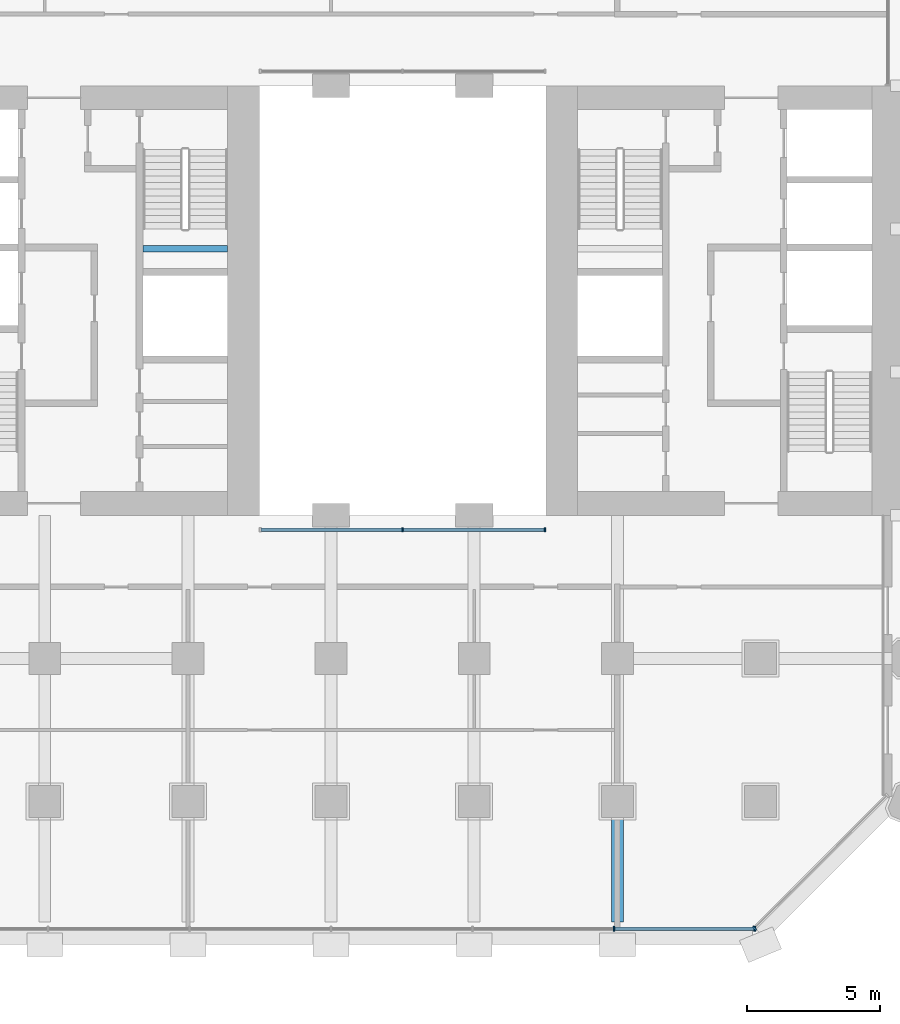
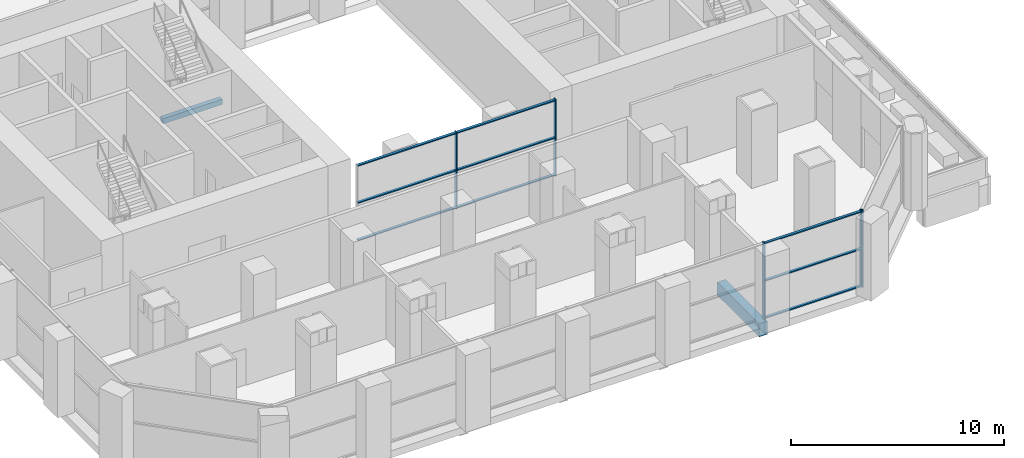
# One storey, part 5 of 42: 14 members, 2 beams, 3 elements without a shape of their own.
"""IFC4 building model written with IfcOpenShell, lengths in metres."""

from ifc_helpers import new_model, si_unit, direction, frame, origin, origin_2d, place, context, subcontext, project, spatial, rectangle, extrude, material, material_profile, profile_set, type_object, element, aggregate, save


model = new_model("IFC4")

# Units and contexts
model_context = context("Model", 3, precision=1e-05, world=origin(), true_north=direction((0.0, 1.0)))
body_context = subcontext(model_context, "Body", "Model", "MODEL_VIEW")
ifc_project = project(units=[si_unit("LENGTHUNIT", "METRE"), si_unit("AREAUNIT", "SQUARE_METRE"), si_unit("VOLUMEUNIT", "CUBIC_METRE"), si_unit("PLANEANGLEUNIT", "RADIAN"), si_unit("MASSUNIT", "GRAM", prefix="KILO")], contexts=[model_context])

# Site, building, storey
site_placement = place(None, origin())
site = spatial("IfcSite", under=ifc_project, at=site_placement, CompositionType="ELEMENT")
building_placement = place(site_placement, origin())
building = spatial("IfcBuilding", under=site, at=building_placement, Name="Tabaq Tower and Sports Hall", CompositionType="ELEMENT")
storey_placement = place(building_placement, frame((0.0, 0.0, 19.800048828125)))
storey = spatial("IfcBuildingStorey", under=building, at=storey_placement, Name="L03", CompositionType="ELEMENT", Elevation=19.800048828125)

# Curtain wall, members
ifc_material_1 = material(Name="Aluminium alloy 6063-T6 framed glazing", Category="aluminium")
curtain_wall_type_1 = type_object("IfcCurtainWallType", Name="CW1 curtain wall", PredefinedType="USERDEFINED", material=ifc_material_1)
curtain_wall_1_placement = place(storey_placement, origin())
curtain_wall_1 = element("IfcCurtainWall", 1, at=curtain_wall_1_placement, inside=storey, type_object=curtain_wall_type_1, Name="Atrium glazing L03 S", ObjectType="ATRIUM ENCLOSURE", PredefinedType="USERDEFINED")
ifc_material_2 = material(Name="Aluminium alloy 6063-T6", Category="aluminium")
ifc_material_profile_1 = material_profile(ifc_material_2, rectangle(XDim=0.159912109375, YDim=0.06005859375, at=origin_2d()), Name="MULLION 160x60")
ifc_profile_set_1 = profile_set([ifc_material_profile_1], Name="Aluminium alloy 6063-T6")
member_type_1 = type_object("IfcMemberType", Name="CW1 mullion 160x60", PredefinedType="MULLION", material=ifc_profile_set_1)
member_1_placement = place(storey_placement, frame((24.300048828125, 15.64990234375, 0.0), z_axis=(0.0, 0.0, 1.0), x_axis=(0.0, 1.0, 0.0)))
member_1 = element("IfcMember", 2, at=member_1_placement, type_object=member_type_1, Name="CW1 mullion 2", PredefinedType="MULLION", context=body_context, shape_type="SweptSolid", body=[
    extrude(rectangle(XDim=0.159912109375, YDim=0.06005859375, at=origin_2d()), origin(), (0.0, 0.0, 1.0), 4.39990234375),
])
member_2_placement = place(storey_placement, frame((29.669921875, 15.64990234375, 0.0), z_axis=(0.0, 0.0, 1.0), x_axis=(0.0, 1.0, 0.0)))
member_2 = element("IfcMember", 3, at=member_2_placement, type_object=member_type_1, Name="CW1 mullion 3", PredefinedType="MULLION", context=body_context, shape_type="SweptSolid", body=[
    extrude(rectangle(XDim=0.159912109375, YDim=0.06005859375, at=origin_2d()), origin(), (0.0, 0.0, 1.0), 4.39990234375),
])
ifc_material_3 = material(Name="Aluminium alloy 6063-T6", Category="aluminium")
ifc_material_profile_2 = material_profile(ifc_material_3, rectangle(XDim=0.139892578125, YDim=0.06005859375, at=origin_2d()), Name="TRANSOM 140x60")
ifc_profile_set_2 = profile_set([ifc_material_profile_2], Name="Aluminium alloy 6063-T6")
member_type_2 = type_object("IfcMemberType", Name="CW1 transom 140x60", PredefinedType="USERDEFINED", material=ifc_profile_set_2)
member_3_placement = place(storey_placement, frame((18.9599609375, 15.64990234375, 0.070068359375), z_axis=(1.0, 0.0, 0.0), x_axis=(0.0, 1.0, 0.0)))
member_3 = element("IfcMember", 4, at=member_3_placement, type_object=member_type_2, Name="CW1 transom 1.1", ObjectType="TRANSOM", PredefinedType="USERDEFINED", context=body_context, shape_type="SweptSolid", body=[
    extrude(rectangle(XDim=0.139892578125, YDim=0.06005859375, at=origin_2d()), origin(), (0.0, 0.0, 1.0), 5.31005859375),
])
member_4_placement = place(storey_placement, frame((18.9599609375, 15.64990234375, 2.199951171875), z_axis=(1.0, 0.0, 0.0), x_axis=(0.0, 1.0, 0.0)))
member_4 = element("IfcMember", 5, at=member_4_placement, type_object=member_type_2, Name="CW1 transom 1.2", ObjectType="TRANSOM", PredefinedType="USERDEFINED", context=body_context, shape_type="SweptSolid", body=[
    extrude(rectangle(XDim=0.139892578125, YDim=0.06005859375, at=origin_2d()), origin(), (0.0, 0.0, 1.0), 5.31005859375),
])
member_5_placement = place(storey_placement, frame((18.9599609375, 15.64990234375, 4.329833984375), z_axis=(1.0, 0.0, 0.0), x_axis=(0.0, 1.0, 0.0)))
member_5 = element("IfcMember", 6, at=member_5_placement, type_object=member_type_2, Name="CW1 transom 1.3", ObjectType="TRANSOM", PredefinedType="USERDEFINED", context=body_context, shape_type="SweptSolid", body=[
    extrude(rectangle(XDim=0.139892578125, YDim=0.06005859375, at=origin_2d()), origin(), (0.0, 0.0, 1.0), 5.31005859375),
])
member_6_placement = place(storey_placement, frame((24.330078125, 15.64990234375, 0.070068359375), z_axis=(1.0, 0.0, 0.0), x_axis=(0.0, 1.0, 0.0)))
member_6 = element("IfcMember", 7, at=member_6_placement, type_object=member_type_2, Name="CW1 transom 2.1", ObjectType="TRANSOM", PredefinedType="USERDEFINED", context=body_context, shape_type="SweptSolid", body=[
    extrude(rectangle(XDim=0.139892578125, YDim=0.06005859375, at=origin_2d()), origin(), (0.0, 0.0, 1.0), 5.309814453125),
])
member_7_placement = place(storey_placement, frame((24.330078125, 15.64990234375, 2.199951171875), z_axis=(1.0, 0.0, 0.0), x_axis=(0.0, 1.0, 0.0)))
member_7 = element("IfcMember", 8, at=member_7_placement, type_object=member_type_2, Name="CW1 transom 2.2", ObjectType="TRANSOM", PredefinedType="USERDEFINED", context=body_context, shape_type="SweptSolid", body=[
    extrude(rectangle(XDim=0.139892578125, YDim=0.06005859375, at=origin_2d()), origin(), (0.0, 0.0, 1.0), 5.309814453125),
])
member_8_placement = place(storey_placement, frame((24.330078125, 15.64990234375, 4.329833984375), z_axis=(1.0, 0.0, 0.0), x_axis=(0.0, 1.0, 0.0)))
member_8 = element("IfcMember", 9, at=member_8_placement, type_object=member_type_2, Name="CW1 transom 2.3", ObjectType="TRANSOM", PredefinedType="USERDEFINED", context=body_context, shape_type="SweptSolid", body=[
    extrude(rectangle(XDim=0.139892578125, YDim=0.06005859375, at=origin_2d()), origin(), (0.0, 0.0, 1.0), 5.309814453125),
])
aggregate(curtain_wall_1, [member_1, member_2, member_3, member_4, member_5, member_6, member_7, member_8])

ifc_material_4 = material(Name="Aluminium alloy 6063-T6 framed glazing", Category="aluminium")
curtain_wall_type_2 = type_object("IfcCurtainWallType", Name="CW7 curtain wall", PredefinedType="USERDEFINED", material=ifc_material_4)
curtain_wall_2_placement = place(storey_placement, origin())
curtain_wall_2 = element("IfcCurtainWall", 10, at=curtain_wall_2_placement, inside=storey, type_object=curtain_wall_type_2, Name="Podium Wall L03 S", ObjectType="PODIUM WALL", PredefinedType="USERDEFINED")
ifc_material_5 = material(Name="Aluminium alloy 6063-T6", Category="aluminium")
ifc_material_profile_3 = material_profile(ifc_material_5, rectangle(XDim=0.179931640625, YDim=0.06494140625, at=origin_2d()), Name="MULLION 180x65")
ifc_profile_set_3 = profile_set([ifc_material_profile_3], Name="Aluminium alloy 6063-T6")
member_type_3 = type_object("IfcMemberType", Name="CW7 mullion 180x65", PredefinedType="MULLION", material=ifc_profile_set_3)
member_9_placement = place(storey_placement, frame((32.275634765625, 0.60009765625, 0.0), z_axis=(0.0, 0.0, 1.0), x_axis=(0.0, 1.0, 0.0)))
member_9 = element("IfcMember", 11, at=member_9_placement, type_object=member_type_3, Name="CW7 mullion 6", PredefinedType="MULLION", context=body_context, shape_type="SweptSolid", body=[
    extrude(rectangle(XDim=0.179931640625, YDim=0.06494140625, at=origin_2d()), origin(), (0.0, 0.0, 1.0), 4.39990234375),
])
member_10_placement = place(storey_placement, frame((37.5810546875, 0.60009765625, 0.0), z_axis=(0.0, 0.0, 1.0), x_axis=(0.0, 1.0, 0.0)))
member_10 = element("IfcMember", 12, at=member_10_placement, type_object=member_type_3, Name="CW7 mullion 7", PredefinedType="MULLION", context=body_context, shape_type="SweptSolid", body=[
    extrude(rectangle(XDim=0.179931640625, YDim=0.06494140625, at=origin_2d()), origin(), (0.0, 0.0, 1.0), 4.39990234375),
])

# Curtain wall, member
curtain_wall_3_placement = place(storey_placement, origin())
curtain_wall_3 = element("IfcCurtainWall", 13, at=curtain_wall_3_placement, inside=storey, type_object=curtain_wall_type_2, Name="Podium Wall L03 SE", ObjectType="PODIUM WALL", PredefinedType="USERDEFINED")
member_11_placement = place(storey_placement, frame((37.574462890625, 0.623046875, 0.0), z_axis=(0.0, 0.0, 1.0), x_axis=(-0.707106781187, 0.707106781187, 0.0)))
member_11 = element("IfcMember", 14, at=member_11_placement, type_object=member_type_3, Name="CW7 mullion 1", PredefinedType="MULLION", context=body_context, shape_type="SweptSolid", body=[
    extrude(rectangle(XDim=0.179931640625, YDim=0.06494140625, at=origin_2d()), origin(), (0.0, 0.0, 1.0), 4.39990234375),
])
aggregate(curtain_wall_3, [member_11])

# Member
ifc_material_6 = material(Name="Aluminium alloy 6063-T6", Category="aluminium")
ifc_material_profile_4 = material_profile(ifc_material_6, rectangle(XDim=0.139892578125, YDim=0.06494140625, at=origin_2d()), Name="TRANSOM 140x65")
ifc_profile_set_4 = profile_set([ifc_material_profile_4], Name="Aluminium alloy 6063-T6")
member_type_4 = type_object("IfcMemberType", Name="CW7 transom 140x65", PredefinedType="USERDEFINED", material=ifc_profile_set_4)
member_12_placement = place(storey_placement, frame((32.308349609375, 0.60009765625, 0.070068359375), z_axis=(1.0, 0.0, 0.0), x_axis=(0.0, 1.0, 0.0)))
member_12 = element("IfcMember", 15, at=member_12_placement, type_object=member_type_4, Name="CW7 transom 6.1", ObjectType="TRANSOM", PredefinedType="USERDEFINED", context=body_context, shape_type="SweptSolid", body=[
    extrude(rectangle(XDim=0.139892578125, YDim=0.06494140625, at=origin_2d()), origin(), (0.0, 0.0, 1.0), 5.240234375),
])

member_13_placement = place(storey_placement, frame((32.308349609375, 0.60009765625, 2.199951171875), z_axis=(1.0, 0.0, 0.0), x_axis=(0.0, 1.0, 0.0)))
member_13 = element("IfcMember", 16, at=member_13_placement, type_object=member_type_4, Name="CW7 transom 6.2", ObjectType="TRANSOM", PredefinedType="USERDEFINED", context=body_context, shape_type="SweptSolid", body=[
    extrude(rectangle(XDim=0.139892578125, YDim=0.06494140625, at=origin_2d()), origin(), (0.0, 0.0, 1.0), 5.240234375),
])

member_14_placement = place(storey_placement, frame((32.308349609375, 0.60009765625, 4.329833984375), z_axis=(1.0, 0.0, 0.0), x_axis=(0.0, 1.0, 0.0)))
member_14 = element("IfcMember", 17, at=member_14_placement, type_object=member_type_4, Name="CW7 transom 6.3", ObjectType="TRANSOM", PredefinedType="USERDEFINED", context=body_context, shape_type="SweptSolid", body=[
    extrude(rectangle(XDim=0.139892578125, YDim=0.06494140625, at=origin_2d()), origin(), (0.0, 0.0, 1.0), 5.240234375),
])

aggregate(curtain_wall_2, [member_9, member_10, member_12, member_13, member_14])

# Beams
ifc_material_7 = material(Name="Concrete C40/50", Category="concrete")
ifc_material_profile_5 = material_profile(ifc_material_7, rectangle(XDim=0.449951171875, YDim=0.75, at=origin_2d()), Name="CB 450x750")
ifc_profile_set_5 = profile_set([ifc_material_profile_5], Name="Concrete C40/50")
beam_type_1 = type_object("IfcBeamType", Name="PT CANTILEVER BEAM CB 450x750 C40/50", PredefinedType="BEAM", material=ifc_profile_set_5)
beam_1_placement = place(storey_placement, frame((32.39990234375, 0.85009765625, -0.775146484375), z_axis=(0.0, 1.0, 0.0), x_axis=(-1.0, 0.0, 0.0)))
element("IfcBeam", 18, at=beam_1_placement, inside=storey, type_object=beam_type_1, Name="Cantilever Beam L03 S6 span 1", PredefinedType="BEAM", context=body_context, shape_type="SweptSolid", body=[
    extrude(rectangle(XDim=0.449951171875, YDim=0.75, at=origin_2d()), origin(), (0.0, 0.0, 1.0), 3.949951171875),
])
ifc_material_8 = material(Name="Concrete C40/50", Category="concrete")
ifc_material_profile_6 = material_profile(ifc_material_8, rectangle(XDim=0.25, YDim=0.300048828125, at=origin_2d()), Name="RC 250x300")
ifc_profile_set_6 = profile_set([ifc_material_profile_6], Name="Concrete C40/50")
beam_type_2 = type_object("IfcBeamType", Name="Stair landing beam 250x300", PredefinedType="BEAM", material=ifc_profile_set_6)
beam_2_placement = place(storey_placement, frame((14.5, 26.25, 2.050048828125), z_axis=(1.0, 0.0, 0.0), x_axis=(0.0, 1.0, 0.0)))
element("IfcBeam", 19, at=beam_2_placement, inside=storey, type_object=beam_type_2, Name="L03 ST2 landing beam 1", PredefinedType="BEAM", context=body_context, shape_type="SweptSolid", body=[
    extrude(rectangle(XDim=0.25, YDim=0.300048828125, at=origin_2d()), origin(), (0.0, 0.0, 1.0), 3.199951171875),
])

save(model, "model.ifc")
